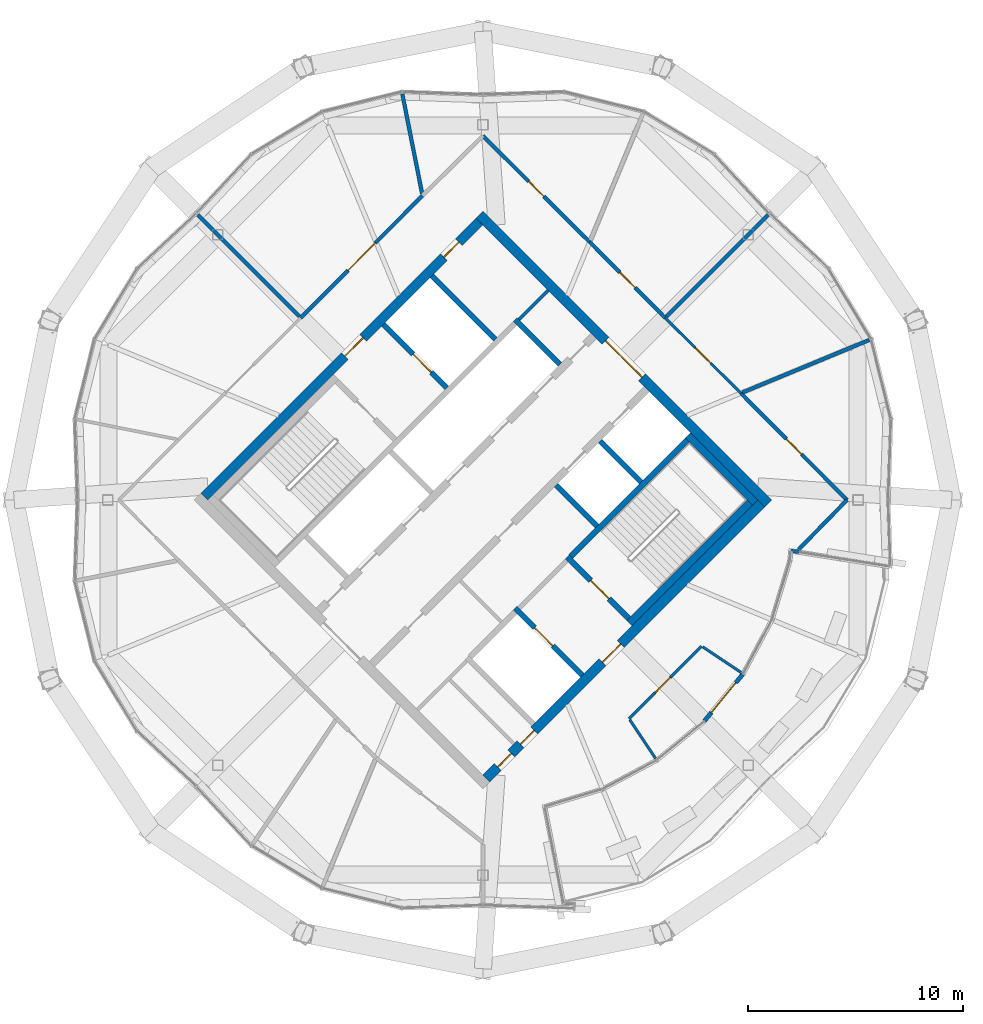
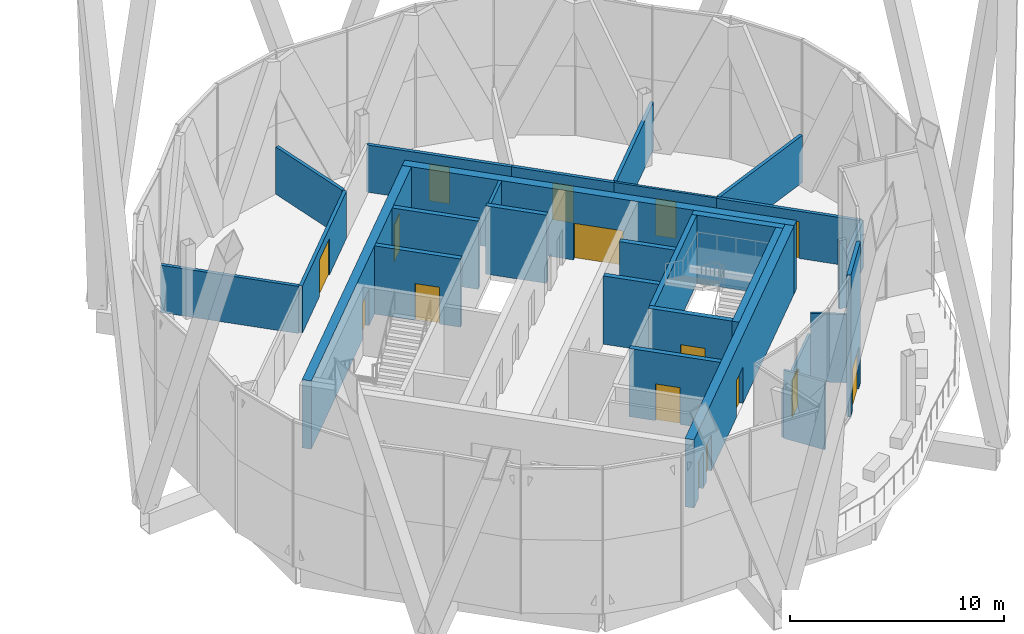
# One storey, part 34 of 38: 29 walls, 16 doors, 16 openings.
"""IFC4 building model written with IfcOpenShell, lengths in metres."""

from ifc_helpers import new_model, si_unit, direction, frame, frame_2d, origin, place, context, subcontext, project, spatial, rectangle, extrude, material, layer, layer_set, type_object, element, fill, save


model = new_model("IFC4")

# Units and contexts
model_context = context("Model", 3, precision=1e-05, world=origin(), true_north=direction((0.0, 1.0)))
body_context = subcontext(model_context, "Body", "Model", "MODEL_VIEW")
ifc_project = project(units=[si_unit("LENGTHUNIT", "METRE"), si_unit("AREAUNIT", "SQUARE_METRE"), si_unit("VOLUMEUNIT", "CUBIC_METRE"), si_unit("PLANEANGLEUNIT", "RADIAN"), si_unit("MASSUNIT", "GRAM", prefix="KILO")], contexts=[model_context])

# Site, building, storey
site_placement = place(None, origin())
site = spatial("IfcSite", under=ifc_project, at=site_placement, CompositionType="ELEMENT")
building_placement = place(site_placement, origin())
building = spatial("IfcBuilding", under=site, at=building_placement, Name="Ogive Gate Towers", CompositionType="ELEMENT")
storey_placement = place(building_placement, frame((0.0, 0.0, 268.800048828125)))
storey = spatial("IfcBuildingStorey", under=building, at=storey_placement, Name="L63", CompositionType="ELEMENT", Elevation=268.800048828125)

# Walls
ifc_material_1 = material(Name="Gypsum board acoustic partition")
ifc_layer_1 = layer(ifc_material_1, 0.175048828125)
ifc_layer_set_1 = layer_set([ifc_layer_1], Name="Acoustic partition 175")
wall_type_1 = type_object("IfcWallType", Name="Acoustic partition 175", PredefinedType="PARTITIONING", material=ifc_layer_set_1)
wall_1_placement = place(storey_placement, frame((53.978759765625, 7.447021484375, 0.0), z_axis=(0.0, 0.0, 1.0), x_axis=(-0.923877413209, -0.382688548773, 0.0)))
element("IfcWall", 1, at=wall_1_placement, inside=storey, type_object=wall_type_1, Name="Partition T2-L63-001", PredefinedType="PARTITIONING", context=body_context, shape_type="SweptSolid", body=[
    extrude(rectangle(XDim=6.381591796875, YDim=0.175048828125, at=frame_2d((3.19091796875, 0.0))), origin(), (0.0, 0.0, 1.0), 2.699951171875),
])
wall_2_placement = place(storey_placement, frame((49.2646484375, 13.2646484375, 0.0), z_axis=(0.0, 0.0, 1.0), x_axis=(-0.707106781187, -0.707106781187, 0.0)))
element("IfcWall", 2, at=wall_2_placement, inside=storey, type_object=wall_type_1, Name="Partition T2-L63-002", PredefinedType="PARTITIONING", context=body_context, shape_type="SweptSolid", body=[
    extrude(rectangle(XDim=6.681640625, YDim=0.175048828125, at=frame_2d((3.3408203125, 0.0))), origin(), (0.0, 0.0, 1.0), 2.699951171875),
])
wall_3_placement = place(storey_placement, frame((32.251708984375, 18.89111328125, 0.0), z_axis=(0.0, 0.0, 1.0), x_axis=(0.194637357346, -0.980875271951, 0.0)))
element("IfcWall", 3, at=wall_3_placement, inside=storey, type_object=wall_type_1, Name="Partition T2-L63-004", PredefinedType="PARTITIONING", context=body_context, shape_type="SweptSolid", body=[
    extrude(rectangle(XDim=4.7314453125, YDim=0.175048828125, at=frame_2d((2.36572265625, 0.0))), origin(), (0.0, 0.0, 1.0), 2.699951171875),
])
wall_4_placement = place(storey_placement, frame((22.7353515625, 13.2646484375, 0.0), z_axis=(0.0, 0.0, 1.0), x_axis=(0.707106781187, -0.707106781187, 0.0)))
element("IfcWall", 4, at=wall_4_placement, inside=storey, type_object=wall_type_1, Name="Partition T2-L63-005", PredefinedType="PARTITIONING", context=body_context, shape_type="SweptSolid", body=[
    extrude(rectangle(XDim=6.681640625, YDim=0.175048828125, at=frame_2d((3.3408203125, 0.0))), origin(), (0.0, 0.0, 1.0), 2.699951171875),
])
wall_5_placement = place(storey_placement, frame((50.326904296875, -2.370361328125, 0.0), z_axis=(0.0, 0.0, 1.0), x_axis=(0.995393156894, -0.095877334176, 0.0)))
element("IfcWall", 5, at=wall_5_placement, inside=storey, type_object=wall_type_1, Name="Partition T2-L63-013", PredefinedType="PARTITIONING", context=body_context, shape_type="SweptSolid", body=[
    extrude(rectangle(XDim=0.36669921875, YDim=0.175048828125, at=frame_2d((0.183349609375, 0.0))), origin(), (0.0, 0.0, 1.0), 3.89990234375),
])

# Wall, opening, door
wall_6_placement = place(storey_placement, frame((27.521728515625, 8.478271484375, 0.0), z_axis=(0.0, 0.0, 1.0), x_axis=(0.705980744422, 0.708231027635, 0.0)))
wall_6 = element("IfcWall", 6, at=wall_6_placement, inside=storey, type_object=wall_type_1, Name="Partition T2-L63-021", PredefinedType="PARTITIONING", context=body_context, shape_type="SweptSolid", body=[
    extrude(rectangle(XDim=8.028564453125, YDim=0.175048828125, at=frame_2d((4.01416015625, 0.0))), origin(), (0.0, 0.0, 1.0), 2.699951171875),
])
opening_1_placement = place(wall_6_placement, frame((3.114013671875, 0.0, 0.0)))
opening_1 = element("IfcOpeningElement", 7, at=opening_1_placement, cuts=wall_6, Name="Opening T2-L63-D07", PredefinedType="OPENING", context=body_context, shape_type="SweptSolid", body=[
    extrude(rectangle(XDim=1.800048828125, YDim=2.10009765625, at=frame_2d((0.89990234375, 1.050048828125))), frame((0.0, 0.09765625, 0.0), z_axis=(0.0, -1.0, 0.0), x_axis=(1.0, 0.0, 0.0)), (0.0, 0.0, 1.0), 0.195068359375),
])
ifc_material_2 = material(Name="Timber door", Category="wood")
door_type_1 = type_object("IfcDoorType", Name="Door pair 1800", OperationType="NOTDEFINED", PredefinedType="DOOR", material=ifc_material_2)
door_1_placement = place(opening_1_placement, origin())
door_1 = element("IfcDoor", 8, at=door_1_placement, inside=storey, type_object=door_type_1, Name="Door T2-L63-D07", OperationType="DOUBLE_DOOR_DOUBLE_SWING", OverallHeight=2.10009765625, OverallWidth=1.800048828125, PredefinedType="DOOR", context=body_context, shape_type="SweptSolid", body=[
    extrude(rectangle(XDim=1.800048828125, YDim=2.10009765625, at=frame_2d((0.89990234375, 1.050048828125))), frame((0.0, 0.02490234375, 0.0), z_axis=(0.0, -1.0, 0.0), x_axis=(1.0, 0.0, 0.0)), (0.0, 0.0, 1.0), 0.050048828125),
])
fill(opening_1, door_1)

wall_7_placement = place(storey_placement, frame((36.0, 16.9423828125, 0.0), z_axis=(0.0, 0.0, 1.0), x_axis=(0.709332667605, -0.704873865786, 0.0)))
wall_7 = element("IfcWall", 9, at=wall_7_placement, inside=storey, type_object=wall_type_1, Name="Partition T2-L63-022", PredefinedType="PARTITIONING", context=body_context, shape_type="SweptSolid", body=[
    extrude(rectangle(XDim=7.008544921875, YDim=0.175048828125, at=frame_2d((3.50439453125, 0.0))), origin(), (0.0, 0.0, 1.0), 2.699951171875),
])
opening_2_placement = place(wall_7_placement, frame((3.00390625, 0.0, 0.0)))
opening_2 = element("IfcOpeningElement", 10, at=opening_2_placement, cuts=wall_7, Name="Opening T2-L63-D08", PredefinedType="OPENING", context=body_context, shape_type="SweptSolid", body=[
    extrude(rectangle(XDim=1.0, YDim=2.10009765625, at=frame_2d((0.5, 1.050048828125))), frame((0.0, 0.09765625, 0.0), z_axis=(0.0, -1.0, 0.0), x_axis=(1.0, 0.0, 0.0)), (0.0, 0.0, 1.0), 0.195068359375),
])
door_type_2 = type_object("IfcDoorType", Name="Door 1000", OperationType="NOTDEFINED", PredefinedType="DOOR", material=ifc_material_2)
door_2_placement = place(opening_2_placement, origin())
door_2 = element("IfcDoor", 11, at=door_2_placement, inside=storey, type_object=door_type_2, Name="Door T2-L63-D08", OperationType="SINGLE_SWING_LEFT", OverallHeight=2.10009765625, OverallWidth=1.0, PredefinedType="DOOR", context=body_context, shape_type="SweptSolid", body=[
    extrude(rectangle(XDim=1.0, YDim=2.10009765625, at=frame_2d((0.5, 1.050048828125))), frame((0.0, 0.02490234375, 0.0), z_axis=(0.0, -1.0, 0.0), x_axis=(1.0, 0.0, 0.0)), (0.0, 0.0, 1.0), 0.050048828125),
])
fill(opening_2, door_2)

wall_8_placement = place(storey_placement, frame((40.971435546875, 12.002197265625, 0.0), z_axis=(0.0, 0.0, 1.0), x_axis=(0.705385915656, -0.708823468851, 0.0)))
wall_8 = element("IfcWall", 12, at=wall_8_placement, inside=storey, type_object=wall_type_1, Name="Partition T2-L63-024", PredefinedType="PARTITIONING", context=body_context, shape_type="SweptSolid", body=[
    extrude(rectangle(XDim=4.971435546875, YDim=0.175048828125, at=frame_2d((2.48583984375, 0.0))), origin(), (0.0, 0.0, 1.0), 2.699951171875),
])
opening_3_placement = place(wall_8_placement, frame((1.986083984375, 0.0, 0.0)))
opening_3 = element("IfcOpeningElement", 13, at=opening_3_placement, cuts=wall_8, Name="Opening T2-L63-D09", PredefinedType="OPENING", context=body_context, shape_type="SweptSolid", body=[
    extrude(rectangle(XDim=1.0, YDim=2.10009765625, at=frame_2d((0.5, 1.050048828125))), frame((0.0, 0.09765625, 0.0), z_axis=(0.0, -1.0, 0.0), x_axis=(1.0, 0.0, 0.0)), (0.0, 0.0, 1.0), 0.195068359375),
])
door_3_placement = place(opening_3_placement, origin())
door_3 = element("IfcDoor", 14, at=door_3_placement, inside=storey, type_object=door_type_2, Name="Door T2-L63-D09", OperationType="SINGLE_SWING_LEFT", OverallHeight=2.10009765625, OverallWidth=1.0, PredefinedType="DOOR", context=body_context, shape_type="SweptSolid", body=[
    extrude(rectangle(XDim=1.0, YDim=2.10009765625, at=frame_2d((0.5, 1.050048828125))), frame((0.0, 0.02490234375, 0.0), z_axis=(0.0, -1.0, 0.0), x_axis=(1.0, 0.0, 0.0)), (0.0, 0.0, 1.0), 0.050048828125),
])
fill(opening_3, door_3)

wall_9_placement = place(storey_placement, frame((48.002197265625, 4.971435546875, 0.0), z_axis=(0.0, 0.0, 1.0), x_axis=(0.704873865786, -0.709332667605, 0.0)))
wall_9 = element("IfcWall", 15, at=wall_9_placement, inside=storey, type_object=wall_type_1, Name="Partition T2-L63-026", PredefinedType="PARTITIONING", context=body_context, shape_type="SweptSolid", body=[
    extrude(rectangle(XDim=7.008544921875, YDim=0.175048828125, at=frame_2d((3.50439453125, 0.0))), origin(), (0.0, 0.0, 1.0), 2.699951171875),
])
opening_4_placement = place(wall_9_placement, frame((3.00390625, 0.0, 0.0)))
opening_4 = element("IfcOpeningElement", 16, at=opening_4_placement, cuts=wall_9, Name="Opening T2-L63-D11", PredefinedType="OPENING", context=body_context, shape_type="SweptSolid", body=[
    extrude(rectangle(XDim=1.0, YDim=2.10009765625, at=frame_2d((0.5, 1.050048828125))), frame((0.0, 0.09765625, 0.0), z_axis=(0.0, -1.0, 0.0), x_axis=(1.0, 0.0, 0.0)), (0.0, 0.0, 1.0), 0.195068359375),
])
door_4_placement = place(opening_4_placement, origin())
door_4 = element("IfcDoor", 17, at=door_4_placement, inside=storey, type_object=door_type_2, Name="Door T2-L63-D11", OperationType="SINGLE_SWING_RIGHT", OverallHeight=2.10009765625, OverallWidth=1.0, PredefinedType="DOOR", context=body_context, shape_type="SweptSolid", body=[
    extrude(rectangle(XDim=1.0, YDim=2.10009765625, at=frame_2d((0.5, 1.050048828125))), frame((0.0, 0.02490234375, 0.0), z_axis=(0.0, -1.0, 0.0), x_axis=(1.0, 0.0, 0.0)), (0.0, 0.0, 1.0), 0.050048828125),
])
fill(opening_4, door_4)

# Wall
wall_10_placement = place(storey_placement, frame((52.9423828125, 0.0, 0.0), z_axis=(0.0, 0.0, 1.0), x_axis=(-0.698934713336, -0.715185476988, 0.0)))
element("IfcWall", 18, at=wall_10_placement, inside=storey, type_object=wall_type_1, Name="Partition T2-L63-027", PredefinedType="PARTITIONING", context=body_context, shape_type="SweptSolid", body=[
    extrude(rectangle(XDim=3.215087890625, YDim=0.175048828125, at=frame_2d((1.607421875, 0.0))), origin(), (0.0, 0.0, 1.0), 2.699951171875),
])

# Wall, openings, doors
ifc_material_3 = material(Name="Concrete C60/75", Category="concrete")
ifc_layer_2 = layer(ifc_material_3, 0.449951171875)
ifc_layer_set_2 = layer_set([ifc_layer_2], Name="Core wall 450 mm")
wall_type_2 = type_object("IfcWallType", Name="Core wall 450 mm", PredefinedType="SHEAR", material=ifc_layer_set_2)
wall_11_placement = place(storey_placement, frame((36.1591796875, -12.957763671875, 0.0), z_axis=(0.0, 0.0, 1.0), x_axis=(0.707106781187, 0.707106781187, 0.0)))
wall_11 = element("IfcWall", 19, at=wall_11_placement, inside=storey, type_object=wall_type_2, Name="T2 L63 Core wall 450 mm", PredefinedType="SHEAR", context=body_context, shape_type="SweptSolid", body=[
    extrude(rectangle(XDim=18.099853515625, YDim=0.449951171875, at=frame_2d((9.0498046875, 0.0))), origin(), (0.0, 0.0, 1.0), 3.89990234375),
])
opening_5_placement = place(wall_11_placement, frame((7.64990234375, 0.0, 0.0)))
opening_5 = element("IfcOpeningElement", 20, at=opening_5_placement, cuts=wall_11, Name="Opening KD-T2-L63-19", PredefinedType="OPENING", context=body_context, shape_type="SweptSolid", body=[
    extrude(rectangle(XDim=1.199951171875, YDim=2.10009765625, at=frame_2d((0.60009765625, 1.050048828125))), frame((0.0, 0.23486328125, 0.0), z_axis=(0.0, -1.0, 0.0), x_axis=(1.0, 0.0, 0.0)), (0.0, 0.0, 1.0), 0.469970703125),
])
opening_6_placement = place(wall_11_placement, frame((0.75, 0.0, 0.0)))
opening_6 = element("IfcOpeningElement", 21, at=opening_6_placement, cuts=wall_11, Name="Opening KD-T2-L63-21", PredefinedType="OPENING", context=body_context, shape_type="SweptSolid", body=[
    extrude(rectangle(XDim=0.89990234375, YDim=2.10009765625, at=frame_2d((0.449951171875, 1.050048828125))), frame((0.0, 0.23486328125, 0.0), z_axis=(0.0, -1.0, 0.0), x_axis=(1.0, 0.0, 0.0)), (0.0, 0.0, 1.0), 0.469970703125),
])
opening_7_placement = place(wall_11_placement, frame((2.25, 0.0, 0.0)))
opening_7 = element("IfcOpeningElement", 22, at=opening_7_placement, cuts=wall_11, Name="Opening KD-T2-L63-22", PredefinedType="OPENING", context=body_context, shape_type="SweptSolid", body=[
    extrude(rectangle(XDim=0.89990234375, YDim=2.10009765625, at=frame_2d((0.449951171875, 1.050048828125))), frame((0.0, 0.23486328125, 0.0), z_axis=(0.0, -1.0, 0.0), x_axis=(1.0, 0.0, 0.0)), (0.0, 0.0, 1.0), 0.469970703125),
])
door_type_3 = type_object("IfcDoorType", Name="Core WC door 900 x 2100", OperationType="NOTDEFINED", PredefinedType="DOOR", material=ifc_material_2)
door_5_placement = place(opening_6_placement, origin())
door_5 = element("IfcDoor", 23, at=door_5_placement, inside=storey, type_object=door_type_3, Name="T2 L63 Core door", OperationType="SINGLE_SWING_RIGHT", OverallHeight=2.10009765625, OverallWidth=0.89990234375, PredefinedType="DOOR", context=body_context, shape_type="SweptSolid", body=[
    extrude(rectangle(XDim=0.89990234375, YDim=2.10009765625, at=frame_2d((0.449951171875, 1.050048828125))), frame((0.0, 0.02490234375, 0.0), z_axis=(0.0, -1.0, 0.0), x_axis=(1.0, 0.0, 0.0)), (0.0, 0.0, 1.0), 0.050048828125),
])
fill(opening_6, door_5)
door_6_placement = place(opening_7_placement, origin())
door_6 = element("IfcDoor", 24, at=door_6_placement, inside=storey, type_object=door_type_3, Name="T2 L63 Core door", OperationType="SINGLE_SWING_LEFT", OverallHeight=2.10009765625, OverallWidth=0.89990234375, PredefinedType="DOOR", context=body_context, shape_type="SweptSolid", body=[
    extrude(rectangle(XDim=0.89990234375, YDim=2.10009765625, at=frame_2d((0.449951171875, 1.050048828125))), frame((0.0, 0.02490234375, 0.0), z_axis=(0.0, -1.0, 0.0), x_axis=(1.0, 0.0, 0.0)), (0.0, 0.0, 1.0), 0.050048828125),
])
fill(opening_7, door_6)
ifc_material_4 = material(Name="Steel fire door", Category="steel")
door_type_4 = type_object("IfcDoorType", Name="Core door FD60S 1200 x 2100", OperationType="NOTDEFINED", PredefinedType="DOOR", material=ifc_material_4)
door_7_placement = place(opening_5_placement, origin())
door_7 = element("IfcDoor", 25, at=door_7_placement, inside=storey, type_object=door_type_4, Name="T2 L63 Fire-fighting lobby door", OperationType="SINGLE_SWING_RIGHT", OverallHeight=2.10009765625, OverallWidth=1.199951171875, PredefinedType="DOOR", context=body_context, shape_type="SweptSolid", body=[
    extrude(rectangle(XDim=1.199951171875, YDim=2.10009765625, at=frame_2d((0.60009765625, 1.050048828125))), frame((0.0, 0.02490234375, 0.0), z_axis=(0.0, -1.0, 0.0), x_axis=(1.0, 0.0, 0.0)), (0.0, 0.0, 1.0), 0.050048828125),
])
fill(opening_5, door_7)

wall_12_placement = place(storey_placement, frame((23.042236328125, 0.1591796875, 0.0), z_axis=(0.0, 0.0, 1.0), x_axis=(0.707106781187, 0.707106781187, 0.0)))
wall_12 = element("IfcWall", 26, at=wall_12_placement, inside=storey, type_object=wall_type_2, Name="T2 L63 Core wall 450 mm", PredefinedType="SHEAR", context=body_context, shape_type="SweptSolid", body=[
    extrude(rectangle(XDim=18.099853515625, YDim=0.449951171875, at=frame_2d((9.0498046875, 0.0))), origin(), (0.0, 0.0, 1.0), 3.89990234375),
])
opening_8_placement = place(wall_12_placement, frame((9.25, 0.0, 0.0)))
opening_8 = element("IfcOpeningElement", 27, at=opening_8_placement, cuts=wall_12, Name="Opening KD-T2-L63-18", PredefinedType="OPENING", context=body_context, shape_type="SweptSolid", body=[
    extrude(rectangle(XDim=1.199951171875, YDim=2.10009765625, at=frame_2d((0.60009765625, 1.050048828125))), frame((0.0, 0.23486328125, 0.0), z_axis=(0.0, -1.0, 0.0), x_axis=(1.0, 0.0, 0.0)), (0.0, 0.0, 1.0), 0.469970703125),
])
opening_9_placement = place(wall_12_placement, frame((15.75, 0.0, 0.0)))
opening_9 = element("IfcOpeningElement", 28, at=opening_9_placement, cuts=wall_12, Name="Opening KD-T2-L63-20", PredefinedType="OPENING", context=body_context, shape_type="SweptSolid", body=[
    extrude(rectangle(XDim=1.0, YDim=2.10009765625, at=frame_2d((0.5, 1.050048828125))), frame((0.0, 0.23486328125, 0.0), z_axis=(0.0, -1.0, 0.0), x_axis=(1.0, 0.0, 0.0)), (0.0, 0.0, 1.0), 0.469970703125),
])
door_type_5 = type_object("IfcDoorType", Name="Accessible WC door 1000 x 2100", OperationType="NOTDEFINED", PredefinedType="DOOR", material=ifc_material_2)
door_8_placement = place(opening_9_placement, origin())
door_8 = element("IfcDoor", 29, at=door_8_placement, inside=storey, type_object=door_type_5, Name="T2 L63 Core door", OperationType="SINGLE_SWING_LEFT", OverallHeight=2.10009765625, OverallWidth=1.0, PredefinedType="DOOR", context=body_context, shape_type="SweptSolid", body=[
    extrude(rectangle(XDim=1.0, YDim=2.10009765625, at=frame_2d((0.5, 1.050048828125))), frame((0.0, 0.02490234375, 0.0), z_axis=(0.0, -1.0, 0.0), x_axis=(1.0, 0.0, 0.0)), (0.0, 0.0, 1.0), 0.050048828125),
])
fill(opening_9, door_8)
door_9_placement = place(opening_8_placement, origin())
door_9 = element("IfcDoor", 30, at=door_9_placement, inside=storey, type_object=door_type_4, Name="T2 L63 Fire-fighting lobby door", OperationType="SINGLE_SWING_LEFT", OverallHeight=2.10009765625, OverallWidth=1.199951171875, PredefinedType="DOOR", context=body_context, shape_type="SweptSolid", body=[
    extrude(rectangle(XDim=1.199951171875, YDim=2.10009765625, at=frame_2d((0.60009765625, 1.050048828125))), frame((0.0, 0.02490234375, 0.0), z_axis=(0.0, -1.0, 0.0), x_axis=(1.0, 0.0, 0.0)), (0.0, 0.0, 1.0), 0.050048828125),
])
fill(opening_8, door_9)

# Wall, opening, door
wall_13_placement = place(storey_placement, frame((49.27587890625, -0.1591796875, 0.0), z_axis=(0.0, 0.0, 1.0), x_axis=(-0.707106781187, 0.707106781187, 0.0)))
wall_13 = element("IfcWall", 31, at=wall_13_placement, inside=storey, type_object=wall_type_2, Name="T2 L63 Core wall 450 mm", PredefinedType="SHEAR", context=body_context, shape_type="SweptSolid", body=[
    extrude(rectangle(XDim=19.0, YDim=0.449951171875, at=frame_2d((9.5, 0.0))), origin(), (0.0, 0.0, 1.0), 3.89990234375),
])
opening_10_placement = place(wall_13_placement, frame((8.300048828125, 0.0, 0.0)))
opening_10 = element("IfcOpeningElement", 32, at=opening_10_placement, cuts=wall_13, Name="Opening KD-T2-L63-02", PredefinedType="OPENING", context=body_context, shape_type="SweptSolid", body=[
    extrude(rectangle(XDim=2.39990234375, YDim=2.10009765625, at=frame_2d((1.199951171875, 1.050048828125))), frame((0.0, 0.23486328125, 0.0), z_axis=(0.0, -1.0, 0.0), x_axis=(1.0, 0.0, 0.0)), (0.0, 0.0, 1.0), 0.469970703125),
])
door_type_6 = type_object("IfcDoorType", Name="Core double door FD60S 2400 x 2100", OperationType="DOUBLE_DOOR_SINGLE_SWING", PredefinedType="DOOR", material=ifc_material_4)
door_10_placement = place(opening_10_placement, origin())
door_10 = element("IfcDoor", 33, at=door_10_placement, inside=storey, type_object=door_type_6, Name="T2 L63 Core door double", OperationType="DOUBLE_DOOR_SINGLE_SWING", OverallHeight=2.10009765625, OverallWidth=2.39990234375, PredefinedType="DOOR", context=body_context, shape_type="SweptSolid", body=[
    extrude(rectangle(XDim=2.39990234375, YDim=2.10009765625, at=frame_2d((1.199951171875, 1.050048828125))), frame((0.0, 0.02490234375, 0.0), z_axis=(0.0, -1.0, 0.0), x_axis=(1.0, 0.0, 0.0)), (0.0, 0.0, 1.0), 0.050048828125),
])
fill(opening_10, door_10)

ifc_material_5 = material(Name="Pale metal aluminium", Category="aluminium")
ifc_layer_3 = layer(ifc_material_5, 0.199951171875)
ifc_layer_set_3 = layer_set([ifc_layer_3], Name="Garden infill wall")
wall_type_3 = type_object("IfcWallType", Name="Garden infill wall", PredefinedType="SOLIDWALL", material=ifc_layer_set_3)
wall_14_placement = place(storey_placement, frame((48.0908203125, -8.108642578125, 0.0), z_axis=(0.0, 0.0, 1.0), x_axis=(-0.634360633506, -0.773037247911, 0.0)))
wall_14 = element("IfcWall", 34, at=wall_14_placement, inside=storey, type_object=wall_type_3, Name="Garden infill wall", PredefinedType="SOLIDWALL", context=body_context, shape_type="SweptSolid", body=[
    extrude(rectangle(XDim=2.804443359375, YDim=0.199951171875, at=frame_2d((1.40234375, 0.0))), origin(), (0.0, 0.0, 1.0), 8.099853515625),
])
opening_11_placement = place(wall_14_placement, frame((0.502197265625, 0.0, 0.0)))
opening_11 = element("IfcOpeningElement", 35, at=opening_11_placement, cuts=wall_14, Name="Opening ED1-L63-01", PredefinedType="OPENING", context=body_context, shape_type="SweptSolid", body=[
    extrude(rectangle(XDim=1.800048828125, YDim=2.39990234375, at=frame_2d((0.89990234375, 1.199951171875))), frame((0.0, 0.10986328125, 0.0), z_axis=(0.0, -1.0, 0.0), x_axis=(1.0, 0.0, 0.0)), (0.0, 0.0, 1.0), 0.219970703125),
])
door_type_7 = type_object("IfcDoorType", Name="Garden door 1800 x 2400", OperationType="DOUBLE_DOOR_SINGLE_SWING", PredefinedType="DOOR", material=ifc_material_5)
door_11_placement = place(opening_11_placement, origin())
door_11 = element("IfcDoor", 36, at=door_11_placement, inside=storey, type_object=door_type_7, Name="Garden door", OperationType="SINGLE_SWING_LEFT", OverallHeight=2.39990234375, OverallWidth=1.800048828125, PredefinedType="DOOR", context=body_context, shape_type="SweptSolid", body=[
    extrude(rectangle(XDim=1.800048828125, YDim=2.39990234375, at=frame_2d((0.89990234375, 1.199951171875))), frame((0.0, 0.02490234375, 0.0), z_axis=(0.0, -1.0, 0.0), x_axis=(1.0, 0.0, 0.0)), (0.0, 0.0, 1.0), 0.050048828125),
])
fill(opening_11, door_11)

# Walls
ifc_material_6 = material(Name="Gypsum board partition")
ifc_layer_4 = layer(ifc_material_6, 0.125)
ifc_layer_set_4 = layer_set([ifc_layer_4], Name="Partition 125")
wall_type_4 = type_object("IfcWallType", Name="Partition 125", PredefinedType="PARTITIONING", material=ifc_layer_set_4)
for number, where, z_axis, x_axis, name in (
    (37, (44.033203125, -12.022705078125, 0.0), (0.0, 0.0, 1.0), (-0.555509803379, 0.831509986921, 0.0), "Partition T2-L63-011"),
    (38, (48.022705078125, -8.033203125, 0.0), (0.0, 0.0, 1.0), (-0.831509986921, 0.555509803379, 0.0), "Partition T2-L63-012"),
):
    element("IfcWall", number, at=place(storey_placement, frame(where, z_axis=z_axis, x_axis=x_axis)), inside=storey, type_object=wall_type_4, Name=name, PredefinedType="PARTITIONING", context=body_context, shape_type="SweptSolid", body=[
        extrude(rectangle(XDim=2.156494140625, YDim=0.125, at=frame_2d((1.078125, 0.0))), origin(), (0.0, 0.0, 1.0), 3.89990234375),
    ])

# Wall, opening, door
wall_15_placement = place(storey_placement, frame((46.177490234375, -6.800537109375, 0.0), z_axis=(0.0, 0.0, 1.0), x_axis=(-0.707106781187, -0.707106781187, 0.0)))
wall_15 = element("IfcWall", 39, at=wall_15_placement, inside=storey, type_object=wall_type_4, Name="Partition T2-L63-014", PredefinedType="PARTITIONING", context=body_context, shape_type="SweptSolid", body=[
    extrude(rectangle(XDim=4.775634765625, YDim=0.125, at=frame_2d((2.3876953125, 0.0))), origin(), (0.0, 0.0, 1.0), 2.699951171875),
])
opening_12_placement = place(wall_15_placement, frame((2.05810546875, 0.0, 0.0)))
opening_12 = element("IfcOpeningElement", 40, at=opening_12_placement, cuts=wall_15, Name="Opening T2-L63-D01", PredefinedType="OPENING", context=body_context, shape_type="SweptSolid", body=[
    extrude(rectangle(XDim=1.0, YDim=2.10009765625, at=frame_2d((0.5, 1.050048828125))), frame((0.0, 0.072509765625, 0.0), z_axis=(0.0, -1.0, 0.0), x_axis=(1.0, 0.0, 0.0)), (0.0, 0.0, 1.0), 0.14501953125),
])
door_12_placement = place(opening_12_placement, origin())
door_12 = element("IfcDoor", 41, at=door_12_placement, inside=storey, type_object=door_type_2, Name="Door T2-L63-D01", OperationType="SINGLE_SWING_LEFT", OverallHeight=2.10009765625, OverallWidth=1.0, PredefinedType="DOOR", context=body_context, shape_type="SweptSolid", body=[
    extrude(rectangle(XDim=1.0, YDim=2.10009765625, at=frame_2d((0.5, 1.050048828125))), frame((0.0, 0.02490234375, 0.0), z_axis=(0.0, -1.0, 0.0), x_axis=(1.0, 0.0, 0.0)), (0.0, 0.0, 1.0), 0.050048828125),
])
fill(opening_12, door_12)

wall_16_placement = place(storey_placement, frame((44.478271484375, 8.478271484375, 0.0), z_axis=(0.0, 0.0, 1.0), x_axis=(0.708823468851, -0.705385915656, 0.0)))
wall_16 = element("IfcWall", 42, at=wall_16_placement, inside=storey, type_object=wall_type_4, Name="Partition T2-L63-025", PredefinedType="PARTITIONING", context=body_context, shape_type="SweptSolid", body=[
    extrude(rectangle(XDim=4.971435546875, YDim=0.125, at=frame_2d((2.48583984375, 0.0))), origin(), (0.0, 0.0, 1.0), 2.699951171875),
])
opening_13_placement = place(wall_16_placement, frame((1.986083984375, 0.0, 0.0)))
opening_13 = element("IfcOpeningElement", 43, at=opening_13_placement, cuts=wall_16, Name="Opening T2-L63-D10", PredefinedType="OPENING", context=body_context, shape_type="SweptSolid", body=[
    extrude(rectangle(XDim=1.0, YDim=2.10009765625, at=frame_2d((0.5, 1.050048828125))), frame((0.0, 0.072509765625, 0.0), z_axis=(0.0, -1.0, 0.0), x_axis=(1.0, 0.0, 0.0)), (0.0, 0.0, 1.0), 0.14501953125),
])
door_13_placement = place(opening_13_placement, origin())
door_13 = element("IfcDoor", 44, at=door_13_placement, inside=storey, type_object=door_type_2, Name="Door T2-L63-D10", OperationType="SINGLE_SWING_RIGHT", OverallHeight=2.10009765625, OverallWidth=1.0, PredefinedType="DOOR", context=body_context, shape_type="SweptSolid", body=[
    extrude(rectangle(XDim=1.0, YDim=2.10009765625, at=frame_2d((0.5, 1.050048828125))), frame((0.0, 0.02490234375, 0.0), z_axis=(0.0, -1.0, 0.0), x_axis=(1.0, 0.0, 0.0)), (0.0, 0.0, 1.0), 0.050048828125),
])
fill(opening_13, door_13)

# Walls
ifc_layer_5 = layer(ifc_material_6, 0.14990234375)
ifc_layer_set_5 = layer_set([ifc_layer_5], Name="Room partition 150 mm")
wall_type_5 = type_object("IfcWallType", Name="Room partition 150 mm", PredefinedType="PARTITIONING", material=ifc_layer_set_5)
wall_17_placement = place(storey_placement, frame((37.679443359375, 8.39697265625, 0.0), z_axis=(0.0, 0.0, 1.0), x_axis=(0.707106781187, 0.707106781187, 0.0)))
element("IfcWall", 45, at=wall_17_placement, inside=storey, type_object=wall_type_5, Name="T2 L63 Room partition 150 mm", PredefinedType="PARTITIONING", context=body_context, shape_type="SweptSolid", body=[
    extrude(rectangle(XDim=1.9248046875, YDim=0.14990234375, at=frame_2d((0.96240234375, 0.0))), origin(), (0.0, 0.0, 1.0), 3.89990234375),
])
ifc_layer_6 = layer(ifc_material_3, 0.25)
ifc_layer_set_6 = layer_set([ifc_layer_6], Name="Shaft wall 250 mm")
wall_type_6 = type_object("IfcWallType", Name="Shaft wall 250 mm", PredefinedType="SHEAR", material=ifc_layer_set_6)
wall_18_placement = place(storey_placement, frame((40.08349609375, -2.634033203125, 0.0), z_axis=(0.0, 0.0, 1.0), x_axis=(0.707090876314, 0.707122685701, 0.0)))
element("IfcWall", 46, at=wall_18_placement, inside=storey, type_object=wall_type_6, Name="T2 L63 Shaft wall 250 mm", PredefinedType="SHEAR", context=body_context, shape_type="SweptSolid", body=[
    extrude(rectangle(XDim=7.675048828125, YDim=0.25, at=frame_2d((3.83740234375, 0.0))), origin(), (0.0, 0.0, 1.0), 3.89990234375),
])

# Wall, opening, door
wall_19_placement = place(storey_placement, frame((40.631591796875, -8.1669921875, 0.0), z_axis=(0.0, 0.0, 1.0), x_axis=(-0.707106781187, 0.707106781187, 0.0)))
wall_19 = element("IfcWall", 47, at=wall_19_placement, inside=storey, type_object=wall_type_6, Name="T2 L63 Shaft wall 250 mm", PredefinedType="SHEAR", context=body_context, shape_type="SweptSolid", body=[
    extrude(rectangle(XDim=4.425048828125, YDim=0.25, at=frame_2d((2.21240234375, 0.0))), origin(), (0.0, 0.0, 1.0), 3.89990234375),
])
opening_14_placement = place(wall_19_placement, frame((1.949951171875, 0.0, 0.0)))
opening_14 = element("IfcOpeningElement", 48, at=opening_14_placement, cuts=wall_19, Name="Opening LD-T2-L63-13", PredefinedType="OPENING", context=body_context, shape_type="SweptSolid", body=[
    extrude(rectangle(XDim=1.199951171875, YDim=2.10009765625, at=frame_2d((0.60009765625, 1.050048828125))), frame((0.0, 0.135009765625, 0.0), z_axis=(0.0, -1.0, 0.0), x_axis=(1.0, 0.0, 0.0)), (0.0, 0.0, 1.0), 0.27001953125),
])
ifc_material_7 = material(Name="Stainless steel landing door", Category="steel")
door_type_8 = type_object("IfcDoorType", Name="Landing door 1200 x 2100", OperationType="SLIDING_TO_LEFT", PredefinedType="DOOR", material=ifc_material_7)
door_14_placement = place(opening_14_placement, origin())
door_14 = element("IfcDoor", 49, at=door_14_placement, inside=storey, type_object=door_type_8, Name="T2 L63 Lift landing door FF2", OperationType="SLIDING_TO_LEFT", OverallHeight=2.10009765625, OverallWidth=1.199951171875, PredefinedType="DOOR", context=body_context, shape_type="SweptSolid", body=[
    extrude(rectangle(XDim=1.199951171875, YDim=2.10009765625, at=frame_2d((0.60009765625, 1.050048828125))), frame((0.0, 0.02490234375, 0.0), z_axis=(0.0, -1.0, 0.0), x_axis=(1.0, 0.0, 0.0)), (0.0, 0.0, 1.0), 0.050048828125),
])
fill(opening_14, door_14)

wall_20_placement = place(storey_placement, frame((42.7880859375, -5.515380859375, 0.0), z_axis=(0.0, 0.0, 1.0), x_axis=(-0.707106781187, 0.707106781187, 0.0)))
wall_20 = element("IfcWall", 50, at=wall_20_placement, inside=storey, type_object=wall_type_6, Name="T2 L63 Shaft wall 250 mm", PredefinedType="SHEAR", context=body_context, shape_type="SweptSolid", body=[
    extrude(rectangle(XDim=4.050048828125, YDim=0.25, at=frame_2d((2.02490234375, 0.0))), origin(), (0.0, 0.0, 1.0), 3.89990234375),
])
opening_15_placement = place(wall_20_placement, frame((1.300048828125, 0.0, 0.0)))
opening_15 = element("IfcOpeningElement", 51, at=opening_15_placement, cuts=wall_20, Name="Opening KD-T2-L63-17", PredefinedType="OPENING", context=body_context, shape_type="SweptSolid", body=[
    extrude(rectangle(XDim=1.199951171875, YDim=2.10009765625, at=frame_2d((0.60009765625, 1.050048828125))), frame((0.0, 0.135009765625, 0.0), z_axis=(0.0, -1.0, 0.0), x_axis=(1.0, 0.0, 0.0)), (0.0, 0.0, 1.0), 0.27001953125),
])
door_15_placement = place(opening_15_placement, origin())
door_15 = element("IfcDoor", 52, at=door_15_placement, inside=storey, type_object=door_type_4, Name="T2 L63 Stair door", OperationType="SINGLE_SWING_RIGHT", OverallHeight=2.10009765625, OverallWidth=1.199951171875, PredefinedType="DOOR", context=body_context, shape_type="SweptSolid", body=[
    extrude(rectangle(XDim=1.199951171875, YDim=2.10009765625, at=frame_2d((0.60009765625, 1.050048828125))), frame((0.0, 0.02490234375, 0.0), z_axis=(0.0, -1.0, 0.0), x_axis=(1.0, 0.0, 0.0)), (0.0, 0.0, 1.0), 0.050048828125),
])
fill(opening_15, door_15)

wall_21_placement = place(storey_placement, frame((34.320556640625, 5.21484375, 0.0), z_axis=(0.0, 0.0, 1.0), x_axis=(-0.707106781187, 0.707106781187, 0.0)))
wall_21 = element("IfcWall", 53, at=wall_21_placement, inside=storey, type_object=wall_type_6, Name="T2 L63 Shaft wall 250 mm", PredefinedType="SHEAR", context=body_context, shape_type="SweptSolid", body=[
    extrude(rectangle(XDim=4.175048828125, YDim=0.25, at=frame_2d((2.08740234375, 0.0))), origin(), (0.0, 0.0, 1.0), 3.89990234375),
])
opening_16_placement = place(wall_21_placement, frame((1.02490234375, 0.0, 0.0)))
opening_16 = element("IfcOpeningElement", 54, at=opening_16_placement, cuts=wall_21, Name="Opening LD-T2-L63-12", PredefinedType="OPENING", context=body_context, shape_type="SweptSolid", body=[
    extrude(rectangle(XDim=1.199951171875, YDim=2.10009765625, at=frame_2d((0.60009765625, 1.050048828125))), frame((0.0, 0.135009765625, 0.0), z_axis=(0.0, -1.0, 0.0), x_axis=(1.0, 0.0, 0.0)), (0.0, 0.0, 1.0), 0.27001953125),
])
door_16_placement = place(opening_16_placement, origin())
door_16 = element("IfcDoor", 55, at=door_16_placement, inside=storey, type_object=door_type_8, Name="T2 L63 Lift landing door FF1", OperationType="SLIDING_TO_LEFT", OverallHeight=2.10009765625, OverallWidth=1.199951171875, PredefinedType="DOOR", context=body_context, shape_type="SweptSolid", body=[
    extrude(rectangle(XDim=1.199951171875, YDim=2.10009765625, at=frame_2d((0.60009765625, 1.050048828125))), frame((0.0, 0.02490234375, 0.0), z_axis=(0.0, -1.0, 0.0), x_axis=(1.0, 0.0, 0.0)), (0.0, 0.0, 1.0), 0.050048828125),
])
fill(opening_16, door_16)

# Walls
wall_22_placement = place(storey_placement, frame((41.321044921875, -1.2197265625, 0.0), z_axis=(0.0, 0.0, 1.0), x_axis=(-0.707106781187, 0.707106781187, 0.0)))
element("IfcWall", 56, at=wall_22_placement, inside=storey, type_object=wall_type_6, Name="T2 L63 Shaft wall 250 mm", PredefinedType="SHEAR", context=body_context, shape_type="SweptSolid", body=[
    extrude(rectangle(XDim=2.699951171875, YDim=0.25, at=frame_2d((1.35009765625, 0.0))), origin(), (0.0, 0.0, 1.0), 3.89990234375),
])
wall_23_placement = place(storey_placement, frame((36.58349609375, 7.477783203125, 0.0), z_axis=(0.0, 0.0, 1.0), x_axis=(-0.707165256008, 0.707048301529, 0.0)))
element("IfcWall", 57, at=wall_23_placement, inside=storey, type_object=wall_type_6, Name="T2 L63 Shaft wall 250 mm", PredefinedType="SHEAR", context=body_context, shape_type="SweptSolid", body=[
    extrude(rectangle(XDim=4.175048828125, YDim=0.25, at=frame_2d((2.08740234375, 0.0))), origin(), (0.0, 0.0, 1.0), 3.89990234375),
])
wall_24_placement = place(storey_placement, frame((43.37158203125, 0.830810546875, 0.0), z_axis=(0.0, 0.0, 1.0), x_axis=(-0.707106781187, 0.707106781187, 0.0)))
element("IfcWall", 58, at=wall_24_placement, inside=storey, type_object=wall_type_6, Name="T2 L63 Shaft wall 250 mm", PredefinedType="SHEAR", context=body_context, shape_type="SweptSolid", body=[
    extrude(rectangle(XDim=2.699951171875, YDim=0.25, at=frame_2d((1.35009765625, 0.0))), origin(), (0.0, 0.0, 1.0), 3.89990234375),
])
wall_25_placement = place(storey_placement, frame((39.588623046875, 6.310791015625, 0.0), z_axis=(0.0, 0.0, 1.0), x_axis=(-0.707065402085, 0.707148157867, 0.0)))
element("IfcWall", 59, at=wall_25_placement, inside=storey, type_object=wall_type_6, Name="T2 L63 Shaft wall 250 mm", PredefinedType="SHEAR", context=body_context, shape_type="SweptSolid", body=[
    extrude(rectangle(XDim=2.9501953125, YDim=0.25, at=frame_2d((1.47509765625, 0.0))), origin(), (0.0, 0.0, 1.0), 3.89990234375),
])
ifc_layer_7 = layer(ifc_material_3, 0.35009765625)
ifc_layer_set_7 = layer_set([ifc_layer_7], Name="Stair wall 350 mm")
wall_type_7 = type_object("IfcWallType", Name="Stair wall 350 mm", PredefinedType="SHEAR", material=ifc_layer_set_7)
wall_26_placement = place(storey_placement, frame((42.823486328125, -5.7275390625, 0.0), z_axis=(0.0, 0.0, 1.0), x_axis=(0.707122184046, 0.707091377991, 0.0)))
element("IfcWall", 60, at=wall_26_placement, inside=storey, type_object=wall_type_7, Name="T2 L63 Stair wall 350 mm", PredefinedType="SHEAR", context=body_context, shape_type="SweptSolid", body=[
    extrude(rectangle(XDim=7.925048828125, YDim=0.35009765625, at=frame_2d((3.96240234375, 0.0))), origin(), (0.0, 0.0, 1.0), 3.89990234375),
])
wall_27_placement = place(storey_placement, frame((48.6748046875, -0.123779296875, 0.0), z_axis=(0.0, 0.0, 1.0), x_axis=(-0.707106781187, 0.707106781187, 0.0)))
element("IfcWall", 61, at=wall_27_placement, inside=storey, type_object=wall_type_7, Name="T2 L63 Stair wall 350 mm", PredefinedType="SHEAR", context=body_context, shape_type="SweptSolid", body=[
    extrude(rectangle(XDim=4.425048828125, YDim=0.35009765625, at=frame_2d((2.21240234375, 0.0))), origin(), (0.0, 0.0, 1.0), 3.89990234375),
])

save(model, "model.ifc")
